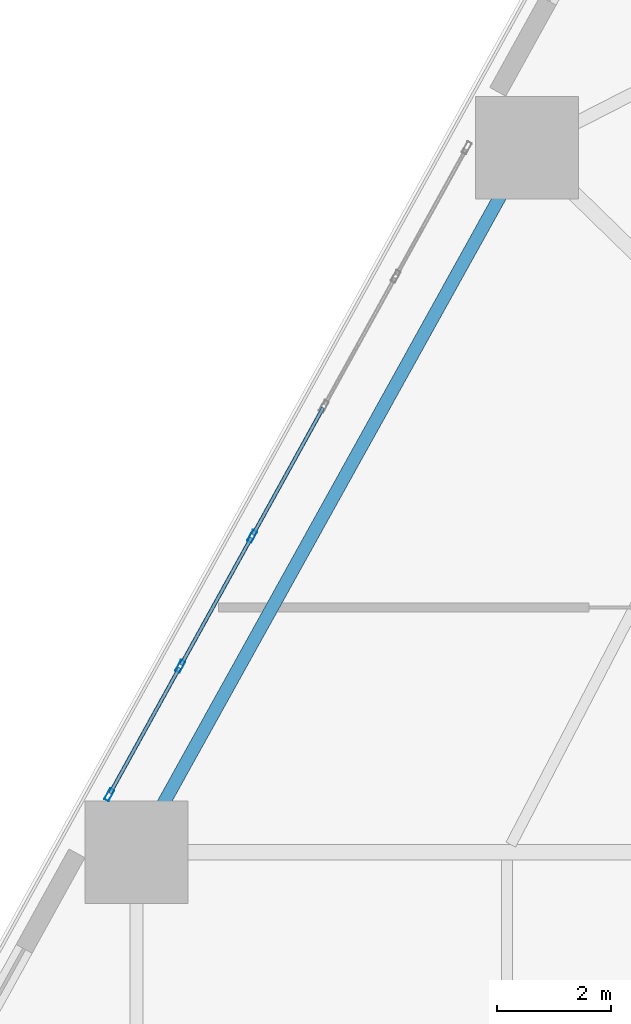
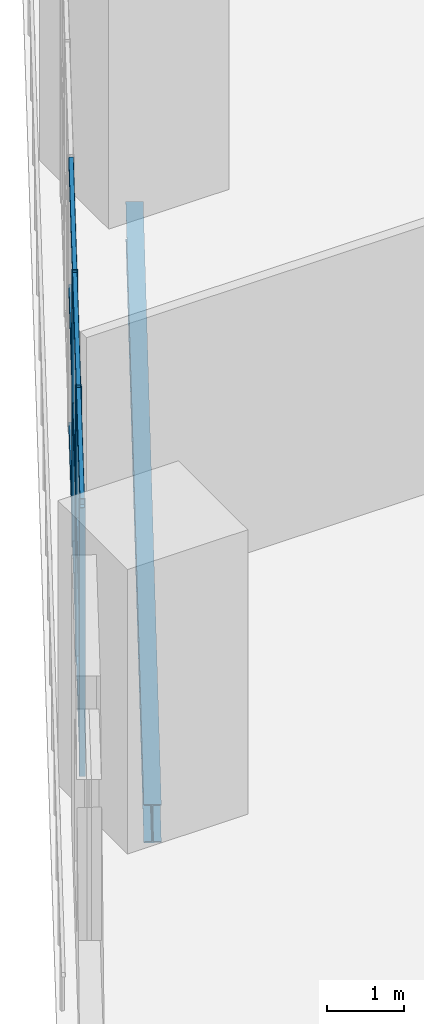
# One storey, part 5 of 18: 12 members, 1 beam, 1 element without a shape of its own.
"""IFC4 building model written with IfcOpenShell, lengths in metres."""

from ifc_helpers import new_model, si_unit, direction, frame, origin, origin_2d, place, context, subcontext, project, spatial, hollow_rectangle, i_section, extrude, material, layer, layer_set, material_profile, profile_set, type_object, element, aggregate, save


model = new_model("IFC4")

# Units and contexts
model_context = context("Model", 3, precision=1e-05, world=origin(), true_north=direction((0.0, 1.0)))
body_context = subcontext(model_context, "Body", "Model", "MODEL_VIEW")
ifc_project = project(units=[si_unit("LENGTHUNIT", "METRE"), si_unit("AREAUNIT", "SQUARE_METRE"), si_unit("VOLUMEUNIT", "CUBIC_METRE"), si_unit("PLANEANGLEUNIT", "RADIAN"), si_unit("MASSUNIT", "GRAM", prefix="KILO")], contexts=[model_context])

# Site, building, storey
site_placement = place(None, origin())
site = spatial("IfcSite", under=ifc_project, at=site_placement, CompositionType="ELEMENT")
building_placement = place(site_placement, origin())
building = spatial("IfcBuilding", under=site, at=building_placement, Name="Cinnabar Lancet Tower", CompositionType="ELEMENT")
storey_placement = place(building_placement, frame((0.0, 0.0, 10.5)))
storey = spatial("IfcBuildingStorey", under=building, at=storey_placement, Name="L02", CompositionType="ELEMENT", Elevation=10.5)

# Curtain wall, members
ifc_material_1 = material(Name="Thermally broken bronze-anodized aluminium and low-E glass", Category="aluminium")
ifc_layer = layer(ifc_material_1, 0.179931640625)
ifc_layer_set = layer_set([ifc_layer], Name="Thermally broken bronze-anodized aluminium and low-E glass")
curtain_wall_type = type_object("IfcCurtainWallType", Name="ENV-CW-SYS-02", PredefinedType="NOTDEFINED", material=ifc_layer_set)
curtain_wall_placement = place(storey_placement, origin())
curtain_wall = element("IfcCurtainWall", 1, at=curtain_wall_placement, inside=storey, type_object=curtain_wall_type, Name="L02 Face 5 Feature Curtain Wall", PredefinedType="NOTDEFINED")
ifc_material_2 = material(Name="Anodized architectural aluminium 6063-T6", Category="aluminium")
ifc_material_profile_1 = material_profile(ifc_material_2, hollow_rectangle(XDim=0.0849609375, YDim=0.219970703125, WallThickness=0.0048828125, InnerFilletRadius=0.00244140625, OuterFilletRadius=0.007568359375, at=origin_2d()), Name="CW-MUL 220x85x5")
ifc_profile_set_1 = profile_set([ifc_material_profile_1], Name="Anodized architectural aluminium 6063-T6")
member_type_1 = type_object("IfcMemberType", Name="ENV-CW-MUL-220", PredefinedType="MULLION", material=ifc_profile_set_1)
member_1_placement = place(storey_placement, frame((6.93701171875, 37.4453125, 0.0), z_axis=(0.0, 0.0, 1.0), x_axis=(0.875242391442, -0.48368456273, 0.0)))
member_1 = element("IfcMember", 2, at=member_1_placement, type_object=member_type_1, Name="CW-02 mullion 4", PredefinedType="MULLION", context=body_context, shape_type="SweptSolid", body=[
    extrude(hollow_rectangle(XDim=0.0849609375, YDim=0.219970703125, WallThickness=0.0048828125, InnerFilletRadius=0.00244140625, OuterFilletRadius=0.007568359375, at=origin_2d()), origin(), (0.0, 0.0, 1.0), 4.25),
])
member_2_placement = place(storey_placement, frame((5.677978515625, 35.167236328125, 0.0), z_axis=(0.0, 0.0, 1.0), x_axis=(0.875242391442, -0.48368456273, 0.0)))
member_2 = element("IfcMember", 3, at=member_2_placement, type_object=member_type_1, Name="CW-02 mullion 5", PredefinedType="MULLION", context=body_context, shape_type="SweptSolid", body=[
    extrude(hollow_rectangle(XDim=0.0849609375, YDim=0.219970703125, WallThickness=0.0048828125, InnerFilletRadius=0.00244140625, OuterFilletRadius=0.007568359375, at=origin_2d()), origin(), (0.0, 0.0, 1.0), 4.25),
])
member_3_placement = place(storey_placement, frame((4.43359375, 32.915283203125, 0.0), z_axis=(0.0, 0.0, 1.0), x_axis=(0.875242391442, -0.48368456273, 0.0)))
member_3 = element("IfcMember", 4, at=member_3_placement, type_object=member_type_1, Name="CW-02 mullion 6", PredefinedType="MULLION", context=body_context, shape_type="SweptSolid", body=[
    extrude(hollow_rectangle(XDim=0.0849609375, YDim=0.219970703125, WallThickness=0.0048828125, InnerFilletRadius=0.00244140625, OuterFilletRadius=0.007568359375, at=origin_2d()), origin(), (0.0, 0.0, 1.0), 4.25),
])
ifc_material_3 = material(Name="Anodized architectural aluminium 6063-T6", Category="aluminium")
ifc_material_profile_2 = material_profile(ifc_material_3, hollow_rectangle(XDim=0.06494140625, YDim=0.14990234375, WallThickness=0.00390625, InnerFilletRadius=0.001953125, OuterFilletRadius=0.006103515625, at=origin_2d()), Name="CW-TRN 150x65x4")
ifc_profile_set_2 = profile_set([ifc_material_profile_2], Name="Anodized architectural aluminium 6063-T6")
member_type_2 = type_object("IfcMemberType", Name="ENV-CW-TRN-160", PredefinedType="USERDEFINED", material=ifc_profile_set_2)
member_4_placement = place(storey_placement, frame((8.181396484375, 39.697265625, 0.030029296875), z_axis=(-0.483701595558, -0.875232978386, 0.0), x_axis=(0.875232978386, -0.483701595558, 0.0)))
member_4 = element("IfcMember", 5, at=member_4_placement, type_object=member_type_2, Name="CW-02 transom 3.1", ObjectType="TRANSOM", PredefinedType="USERDEFINED", context=body_context, shape_type="SweptSolid", body=[
    extrude(hollow_rectangle(XDim=0.06494140625, YDim=0.14990234375, WallThickness=0.00390625, InnerFilletRadius=0.001953125, OuterFilletRadius=0.006103515625, at=origin_2d()), origin(), (0.0, 0.0, 1.0), 2.54296875),
])
member_5_placement = place(storey_placement, frame((8.181396484375, 39.697265625, 2.2099609375), z_axis=(-0.483701595558, -0.875232978386, 0.0), x_axis=(0.875232978386, -0.483701595558, 0.0)))
member_5 = element("IfcMember", 6, at=member_5_placement, type_object=member_type_2, Name="CW-02 transom 3.2", ObjectType="TRANSOM", PredefinedType="USERDEFINED", context=body_context, shape_type="SweptSolid", body=[
    extrude(hollow_rectangle(XDim=0.06494140625, YDim=0.14990234375, WallThickness=0.00390625, InnerFilletRadius=0.001953125, OuterFilletRadius=0.006103515625, at=origin_2d()), origin(), (0.0, 0.0, 1.0), 2.54296875),
])
member_6_placement = place(storey_placement, frame((8.181396484375, 39.697265625, 4.219970703125), z_axis=(-0.483701595558, -0.875232978386, 0.0), x_axis=(0.875232978386, -0.483701595558, 0.0)))
member_6 = element("IfcMember", 7, at=member_6_placement, type_object=member_type_2, Name="CW-02 transom 3.3", ObjectType="TRANSOM", PredefinedType="USERDEFINED", context=body_context, shape_type="SweptSolid", body=[
    extrude(hollow_rectangle(XDim=0.06494140625, YDim=0.14990234375, WallThickness=0.00390625, InnerFilletRadius=0.001953125, OuterFilletRadius=0.006103515625, at=origin_2d()), origin(), (0.0, 0.0, 1.0), 2.54296875),
])
member_7_placement = place(storey_placement, frame((6.922607421875, 37.419189453125, 0.030029296875), z_axis=(-0.483660952196, -0.875255438898, 0.0), x_axis=(0.875255438898, -0.483660952196, 0.0)))
member_7 = element("IfcMember", 8, at=member_7_placement, type_object=member_type_2, Name="CW-02 transom 4.1", ObjectType="TRANSOM", PredefinedType="USERDEFINED", context=body_context, shape_type="SweptSolid", body=[
    extrude(hollow_rectangle(XDim=0.06494140625, YDim=0.14990234375, WallThickness=0.00390625, InnerFilletRadius=0.001953125, OuterFilletRadius=0.006103515625, at=origin_2d()), origin(), (0.0, 0.0, 1.0), 2.54296875),
])
member_8_placement = place(storey_placement, frame((6.922607421875, 37.419189453125, 2.2099609375), z_axis=(-0.483660952196, -0.875255438898, 0.0), x_axis=(0.875255438898, -0.483660952196, 0.0)))
member_8 = element("IfcMember", 9, at=member_8_placement, type_object=member_type_2, Name="CW-02 transom 4.2", ObjectType="TRANSOM", PredefinedType="USERDEFINED", context=body_context, shape_type="SweptSolid", body=[
    extrude(hollow_rectangle(XDim=0.06494140625, YDim=0.14990234375, WallThickness=0.00390625, InnerFilletRadius=0.001953125, OuterFilletRadius=0.006103515625, at=origin_2d()), origin(), (0.0, 0.0, 1.0), 2.54296875),
])
member_9_placement = place(storey_placement, frame((6.922607421875, 37.419189453125, 4.219970703125), z_axis=(-0.483660952196, -0.875255438898, 0.0), x_axis=(0.875255438898, -0.483660952196, 0.0)))
member_9 = element("IfcMember", 10, at=member_9_placement, type_object=member_type_2, Name="CW-02 transom 4.3", ObjectType="TRANSOM", PredefinedType="USERDEFINED", context=body_context, shape_type="SweptSolid", body=[
    extrude(hollow_rectangle(XDim=0.06494140625, YDim=0.14990234375, WallThickness=0.00390625, InnerFilletRadius=0.001953125, OuterFilletRadius=0.006103515625, at=origin_2d()), origin(), (0.0, 0.0, 1.0), 2.54296875),
])
member_10_placement = place(storey_placement, frame((5.66357421875, 35.140869140625, 0.030029296875), z_axis=(-0.483711571576, -0.875227465019, 0.0), x_axis=(0.875227465019, -0.483711571576, 0.0)))
member_10 = element("IfcMember", 11, at=member_10_placement, type_object=member_type_2, Name="CW-02 transom 5.1", ObjectType="TRANSOM", PredefinedType="USERDEFINED", context=body_context, shape_type="SweptSolid", body=[
    extrude(hollow_rectangle(XDim=0.06494140625, YDim=0.14990234375, WallThickness=0.00390625, InnerFilletRadius=0.001953125, OuterFilletRadius=0.006103515625, at=origin_2d()), origin(), (0.0, 0.0, 1.0), 2.512939453125),
])
member_11_placement = place(storey_placement, frame((5.66357421875, 35.140869140625, 2.2099609375), z_axis=(-0.483711571576, -0.875227465019, 0.0), x_axis=(0.875227465019, -0.483711571576, 0.0)))
member_11 = element("IfcMember", 12, at=member_11_placement, type_object=member_type_2, Name="CW-02 transom 5.2", ObjectType="TRANSOM", PredefinedType="USERDEFINED", context=body_context, shape_type="SweptSolid", body=[
    extrude(hollow_rectangle(XDim=0.06494140625, YDim=0.14990234375, WallThickness=0.00390625, InnerFilletRadius=0.001953125, OuterFilletRadius=0.006103515625, at=origin_2d()), origin(), (0.0, 0.0, 1.0), 2.512939453125),
])
member_12_placement = place(storey_placement, frame((5.66357421875, 35.140869140625, 4.219970703125), z_axis=(-0.483711571576, -0.875227465019, 0.0), x_axis=(0.875227465019, -0.483711571576, 0.0)))
member_12 = element("IfcMember", 13, at=member_12_placement, type_object=member_type_2, Name="CW-02 transom 5.3", ObjectType="TRANSOM", PredefinedType="USERDEFINED", context=body_context, shape_type="SweptSolid", body=[
    extrude(hollow_rectangle(XDim=0.06494140625, YDim=0.14990234375, WallThickness=0.00390625, InnerFilletRadius=0.001953125, OuterFilletRadius=0.006103515625, at=origin_2d()), origin(), (0.0, 0.0, 1.0), 2.512939453125),
])
aggregate(curtain_wall, [member_1, member_2, member_3, member_4, member_5, member_6, member_7, member_8, member_9, member_10, member_11, member_12])

# Beam
ifc_material_4 = material(Name="Structural steel S355", Category="steel")
ifc_material_profile_3 = material_profile(ifc_material_4, i_section(OverallWidth=0.228271484375, OverallDepth=0.607666015625, WebThickness=0.010986328125, FlangeThickness=0.017333984375, FilletRadius=0.0126953125, at=origin_2d()), Name="UKB 610x229x113")
ifc_profile_set_3 = profile_set([ifc_material_profile_3], Name="Structural steel S355")
beam_type = type_object("IfcBeamType", Name="STR-BM-SPN-610", PredefinedType="SPANDREL", material=ifc_profile_set_3)
beam_placement = place(storey_placement, frame((11.635986328125, 44.037109375, -0.553955078125), z_axis=(-0.485037056876, -0.874493598294, 0.0), x_axis=(0.874493598294, -0.485037056876, 0.0)))
element("IfcBeam", 14, at=beam_placement, inside=storey, type_object=beam_type, Name="L02 Perimeter Spandrel 9", PredefinedType="SPANDREL", context=body_context, shape_type="SweptSolid", body=[
    extrude(i_section(OverallWidth=0.228271484375, OverallDepth=0.607666015625, WebThickness=0.010986328125, FlangeThickness=0.017333984375, FilletRadius=0.0126953125, at=origin_2d()), origin(), (0.0, 0.0, 1.0), 13.619384765625),
])

save(model, "model.ifc")
